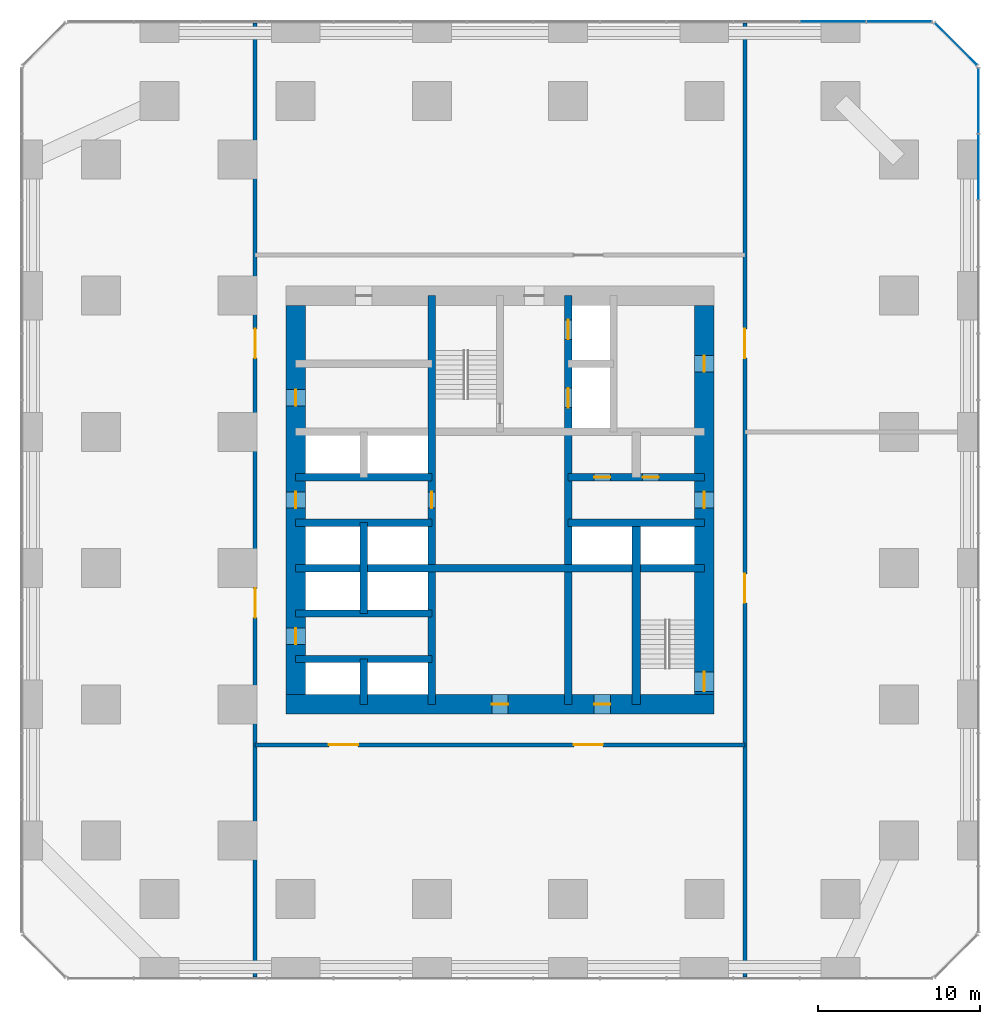
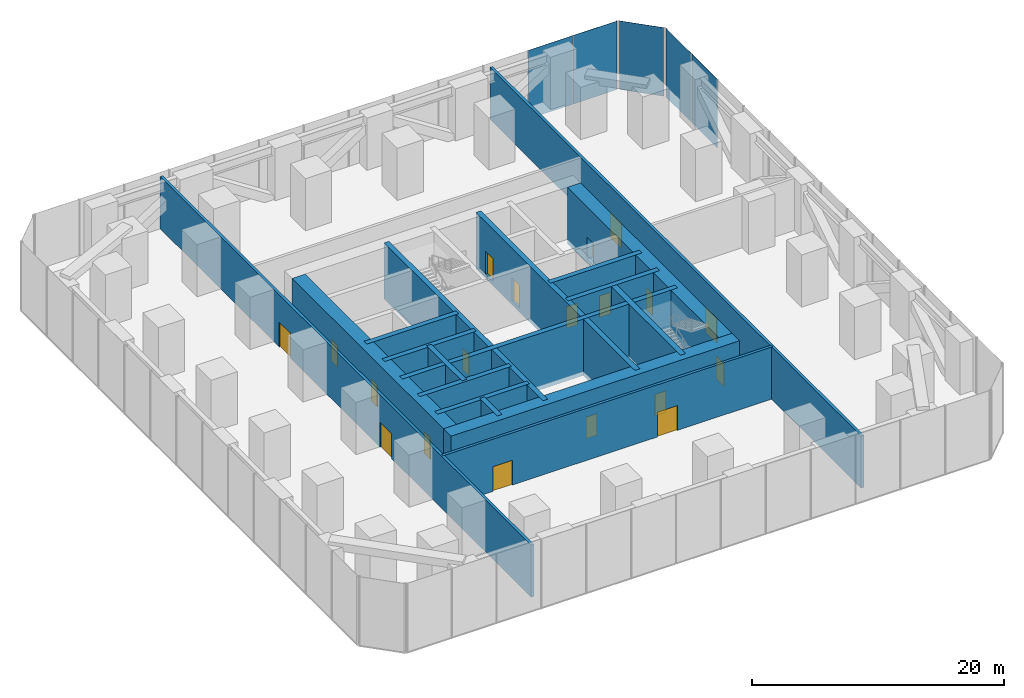
# One storey, part 9 of 11: 19 doors, 18 walls, 5 plates, 19 openings, 3 elements without a shape of their own.
"""IFC4 building model written with IfcOpenShell, lengths in metres."""

from ifc_helpers import new_model, si_unit, direction, frame, frame_2d, origin, origin_2d, place, context, subcontext, project, spatial, rectangle, extrude, material, layer, layer_set, type_object, element, fill, aggregate, save


model = new_model("IFC4")

# Units and contexts
model_context = context("Model", 3, precision=1e-05, world=origin(), true_north=direction((0.0, 1.0)))
body_context = subcontext(model_context, "Body", "Model", "MODEL_VIEW")
ifc_project = project(units=[si_unit("LENGTHUNIT", "METRE"), si_unit("AREAUNIT", "SQUARE_METRE"), si_unit("VOLUMEUNIT", "CUBIC_METRE"), si_unit("PLANEANGLEUNIT", "RADIAN"), si_unit("MASSUNIT", "GRAM", prefix="KILO")], contexts=[model_context])

# Site, building, storey
site_placement = place(None, origin())
site = spatial("IfcSite", under=ifc_project, at=site_placement, CompositionType="ELEMENT")
building_placement = place(site_placement, origin())
building = spatial("IfcBuilding", under=site, at=building_placement, Name="Dunama Terrace Hotel", CompositionType="ELEMENT")
storey_placement = place(building_placement, frame((0.0, 0.0, 88.199951171875)))
storey = spatial("IfcBuildingStorey", under=building, at=storey_placement, Name="L22", CompositionType="ELEMENT", Elevation=88.199951171875)

# Curtain wall, plates
ifc_material_1 = material(Name="Aluminium curtain wall system", Category="aluminium")
curtain_wall_type = type_object("IfcCurtainWallType", Name="Plant floor louvred glazing CW-G", PredefinedType="NOTDEFINED", material=ifc_material_1)
curtain_wall_1_placement = place(storey_placement, origin())
curtain_wall_1 = element("IfcCurtainWall", 1, at=curtain_wall_1_placement, inside=storey, type_object=curtain_wall_type, Name="Plant floor louvred glazing CW-G L22", PredefinedType="NOTDEFINED")
ifc_material_2 = material(Name="Aluminium louvre blades", Category="aluminium")
ifc_layer_1 = layer(ifc_material_2, 0.02392578125)
ifc_layer_set_1 = layer_set([ifc_layer_1], Name="CWG louvre panel")
plate_type = type_object("IfcPlateType", Name="CWG louvre panel", PredefinedType="CURTAIN_PANEL", material=ifc_layer_set_1)
plate_1_placement = place(storey_placement, frame((58.89990234375, 49.93798828125, -1.23583984375), z_axis=(0.0, 0.0, 1.0), x_axis=(0.0, 1.0, 0.0)))
plate_1 = element("IfcPlate", 2, at=plate_1_placement, type_object=plate_type, Name="CWG louvre panel", PredefinedType="CURTAIN_PANEL", context=body_context, shape_type="SweptSolid", body=[
    extrude(rectangle(XDim=4.03271484375, YDim=0.02392578125, at=origin_2d()), origin(), (0.0, 0.0, 1.0), 6.635986328125),
])
plate_2_placement = place(storey_placement, frame((58.89990234375, 54.027099609375, -1.23583984375), z_axis=(0.0, 0.0, 1.0), x_axis=(0.0, 1.0, 0.0)))
plate_2 = element("IfcPlate", 3, at=plate_2_placement, type_object=plate_type, Name="CWG louvre panel", PredefinedType="CURTAIN_PANEL", context=body_context, shape_type="SweptSolid", body=[
    extrude(rectangle(XDim=3.9951171875, YDim=0.02392578125, at=origin_2d()), origin(), (0.0, 0.0, 1.0), 6.635986328125),
])
aggregate(curtain_wall_1, [plate_1, plate_2])

# Curtain wall, plate
curtain_wall_2_placement = place(storey_placement, origin())
curtain_wall_2 = element("IfcCurtainWall", 4, at=curtain_wall_2_placement, inside=storey, type_object=curtain_wall_type, Name="Plant floor louvred glazing CW-G L22", PredefinedType="NOTDEFINED")
plate_3_placement = place(storey_placement, frame((57.52099609375, 57.52099609375, -1.23583984375), z_axis=(0.0, 0.0, 1.0), x_axis=(-0.707106781187, 0.707106781187, 0.0)))
plate_3 = element("IfcPlate", 5, at=plate_3_placement, type_object=plate_type, Name="CWG louvre panel", PredefinedType="CURTAIN_PANEL", context=body_context, shape_type="SweptSolid", body=[
    extrude(rectangle(XDim=3.66845703125, YDim=0.02392578125, at=origin_2d()), origin(), (0.0, 0.0, 1.0), 6.635986328125),
])
aggregate(curtain_wall_2, [plate_3])

# Curtain wall, plates
curtain_wall_3_placement = place(storey_placement, origin())
curtain_wall_3 = element("IfcCurtainWall", 6, at=curtain_wall_3_placement, inside=storey, type_object=curtain_wall_type, Name="Plant floor louvred glazing CW-G L22", PredefinedType="NOTDEFINED")
plate_4_placement = place(storey_placement, frame((54.027099609375, 58.89990234375, -1.23583984375), z_axis=(0.0, 0.0, 1.0), x_axis=(-1.0, 0.0, 0.0)))
plate_4 = element("IfcPlate", 7, at=plate_4_placement, type_object=plate_type, Name="CWG louvre panel", PredefinedType="CURTAIN_PANEL", context=body_context, shape_type="SweptSolid", body=[
    extrude(rectangle(XDim=3.9951171875, YDim=0.02392578125, at=origin_2d()), origin(), (0.0, 0.0, 1.0), 6.635986328125),
])
plate_5_placement = place(storey_placement, frame((49.93798828125, 58.89990234375, -1.23583984375), z_axis=(0.0, 0.0, 1.0), x_axis=(-1.0, 0.0, 0.0)))
plate_5 = element("IfcPlate", 8, at=plate_5_placement, type_object=plate_type, Name="CWG louvre panel", PredefinedType="CURTAIN_PANEL", context=body_context, shape_type="SweptSolid", body=[
    extrude(rectangle(XDim=4.03271484375, YDim=0.02392578125, at=origin_2d()), origin(), (0.0, 0.0, 1.0), 6.635986328125),
])
aggregate(curtain_wall_3, [plate_4, plate_5])

# Walls
ifc_material_3 = material(Name="Concrete C50/60", Category="concrete")
ifc_layer_2 = layer(ifc_material_3, 0.449951171875)
ifc_layer_set_2 = layer_set([ifc_layer_2], Name="Core inner wall 450")
wall_type_1 = type_object("IfcWallType", Name="Core inner wall 450", PredefinedType="SHEAR", material=ifc_layer_set_2)
wall_1_placement = place(storey_placement, frame((21.0, 16.800048828125, -0.39990234375), z_axis=(0.0, 0.0, 1.0), x_axis=(0.0, 1.0, 0.0)))
element("IfcWall", 9, at=wall_1_placement, inside=storey, type_object=wall_type_1, Name="Core inner wall 450 L22", PredefinedType="SHEAR", context=body_context, shape_type="SweptSolid", body=[
    extrude(rectangle(XDim=2.800048828125, YDim=0.449951171875, at=frame_2d((1.39990234375, 0.0))), origin(), (0.0, 0.0, 1.0), 5.449951171875),
])
wall_2_placement = place(storey_placement, frame((21.0, 22.39990234375, -0.39990234375), z_axis=(0.0, 0.0, 1.0), x_axis=(0.0, 1.0, 0.0)))
element("IfcWall", 10, at=wall_2_placement, inside=storey, type_object=wall_type_1, Name="Core inner wall 450 L22", PredefinedType="SHEAR", context=body_context, shape_type="SweptSolid", body=[
    extrude(rectangle(XDim=5.60009765625, YDim=0.449951171875, at=frame_2d((2.800048828125, 0.0))), origin(), (0.0, 0.0, 1.0), 5.449951171875),
])

# Wall, opening, door
wall_3_placement = place(storey_placement, frame((25.199951171875, 16.800048828125, -0.39990234375), z_axis=(0.0, 0.0, 1.0), x_axis=(0.0, 1.0, 0.0)))
wall_3 = element("IfcWall", 11, at=wall_3_placement, inside=storey, type_object=wall_type_1, Name="Core inner wall 450 L22", PredefinedType="SHEAR", context=body_context, shape_type="SweptSolid", body=[
    extrude(rectangle(XDim=25.199951171875, YDim=0.449951171875, at=frame_2d((12.60009765625, 0.0))), origin(), (0.0, 0.0, 1.0), 5.449951171875),
])
opening_1_placement = place(wall_3_placement, frame((12.10009765625, 0.0, 0.39990234375)))
opening_1 = element("IfcOpeningElement", 12, at=opening_1_placement, cuts=wall_3, Name="Opening L22-016", PredefinedType="OPENING", context=body_context, shape_type="SweptSolid", body=[
    extrude(rectangle(XDim=1.0, YDim=2.10009765625, at=frame_2d((0.5, 1.050048828125))), frame((0.0, 0.23486328125, 0.0), z_axis=(0.0, -1.0, 0.0), x_axis=(1.0, 0.0, 0.0)), (0.0, 0.0, 1.0), 0.469970703125),
])
ifc_material_4 = material(Name="Timber door with steel frame", Category="steel")
door_type_1 = type_object("IfcDoorType", Name="Service door 1000", OperationType="SINGLE_SWING_LEFT", PredefinedType="DOOR", material=ifc_material_4)
door_1_placement = place(opening_1_placement, frame((1.0, 0.0, 0.0), z_axis=(0.0, 0.0, 1.0), x_axis=(-1.0, 0.0, 0.0)))
door_1 = element("IfcDoor", 13, at=door_1_placement, inside=storey, type_object=door_type_1, Name="Door to electrical spares store L22-016, type D7", OperationType="SINGLE_SWING_RIGHT", OverallHeight=2.10009765625, OverallWidth=1.0, PredefinedType="DOOR", context=body_context, shape_type="SweptSolid", body=[
    extrude(rectangle(XDim=1.0, YDim=2.10009765625, at=frame_2d((0.5, 1.050048828125))), frame((0.0, 0.025146484375, 0.0), z_axis=(0.0, -1.0, 0.0), x_axis=(1.0, 0.0, 0.0)), (0.0, 0.0, 1.0), 0.050048828125),
])
fill(opening_1, door_1)

# Wall, openings, doors
wall_4_placement = place(storey_placement, frame((33.60009765625, 16.800048828125, -0.39990234375), z_axis=(0.0, 0.0, 1.0), x_axis=(0.0, 1.0, 0.0)))
wall_4 = element("IfcWall", 14, at=wall_4_placement, inside=storey, type_object=wall_type_1, Name="Core inner wall 450 L22", PredefinedType="SHEAR", context=body_context, shape_type="SweptSolid", body=[
    extrude(rectangle(XDim=25.199951171875, YDim=0.449951171875, at=frame_2d((12.60009765625, 0.0))), origin(), (0.0, 0.0, 1.0), 5.449951171875),
])
opening_2_placement = place(wall_4_placement, frame((22.5, 0.0, 0.39990234375)))
opening_2 = element("IfcOpeningElement", 15, at=opening_2_placement, cuts=wall_4, Name="Opening L22-003", PredefinedType="OPENING", context=body_context, shape_type="SweptSolid", body=[
    extrude(rectangle(XDim=1.199951171875, YDim=2.199951171875, at=frame_2d((0.60009765625, 1.10009765625))), frame((0.0, 0.23486328125, 0.0), z_axis=(0.0, -1.0, 0.0), x_axis=(1.0, 0.0, 0.0)), (0.0, 0.0, 1.0), 0.469970703125),
])
opening_3_placement = place(wall_4_placement, frame((18.300048828125, 0.0, 0.39990234375)))
opening_3 = element("IfcOpeningElement", 16, at=opening_3_placement, cuts=wall_4, Name="Opening L22-004", PredefinedType="OPENING", context=body_context, shape_type="SweptSolid", body=[
    extrude(rectangle(XDim=1.199951171875, YDim=2.199951171875, at=frame_2d((0.60009765625, 1.10009765625))), frame((0.0, 0.23486328125, 0.0), z_axis=(0.0, -1.0, 0.0), x_axis=(1.0, 0.0, 0.0)), (0.0, 0.0, 1.0), 0.469970703125),
])
ifc_material_5 = material(Name="Stainless steel lift door", Category="steel")
door_type_2 = type_object("IfcDoorType", Name="Firefighting lift landing door 1200", OperationType="DOUBLE_DOOR_SLIDING", PredefinedType="DOOR", material=ifc_material_5)
door_2_placement = place(opening_2_placement, origin())
door_2 = element("IfcDoor", 17, at=door_2_placement, inside=storey, type_object=door_type_2, Name="Landing door FL1 L22-003, type LD2", OperationType="DOUBLE_DOOR_SLIDING", OverallHeight=2.199951171875, OverallWidth=1.199951171875, PredefinedType="DOOR", context=body_context, shape_type="SweptSolid", body=[
    extrude(rectangle(XDim=1.199951171875, YDim=2.199951171875, at=frame_2d((0.60009765625, 1.10009765625))), frame((0.0, 0.02490234375, 0.0), z_axis=(0.0, -1.0, 0.0), x_axis=(1.0, 0.0, 0.0)), (0.0, 0.0, 1.0), 0.050048828125),
])
fill(opening_2, door_2)
door_3_placement = place(opening_3_placement, origin())
door_3 = element("IfcDoor", 18, at=door_3_placement, inside=storey, type_object=door_type_2, Name="Landing door FL2 L22-004, type LD2", OperationType="DOUBLE_DOOR_SLIDING", OverallHeight=2.199951171875, OverallWidth=1.199951171875, PredefinedType="DOOR", context=body_context, shape_type="SweptSolid", body=[
    extrude(rectangle(XDim=1.199951171875, YDim=2.199951171875, at=frame_2d((0.60009765625, 1.10009765625))), frame((0.0, 0.02490234375, 0.0), z_axis=(0.0, -1.0, 0.0), x_axis=(1.0, 0.0, 0.0)), (0.0, 0.0, 1.0), 0.050048828125),
])
fill(opening_3, door_3)

# Walls
for number, where, z_axis, x_axis, name in (
    (19, (16.800048828125, 19.60009765625, -0.39990234375), (0.0, 0.0, 1.0), (1.0, 0.0, 0.0), "Core inner wall 450 L22"),
    (20, (16.800048828125, 22.39990234375, -0.39990234375), (0.0, 0.0, 1.0), (1.0, 0.0, 0.0), "Core inner wall 450 L22"),
):
    element("IfcWall", number, at=place(storey_placement, frame(where, z_axis=z_axis, x_axis=x_axis)), inside=storey, type_object=wall_type_1, Name=name, PredefinedType="SHEAR", context=body_context, shape_type="SweptSolid", body=[
        extrude(rectangle(XDim=8.39990234375, YDim=0.449951171875, at=frame_2d((4.199951171875, 0.0))), origin(), (0.0, 0.0, 1.0), 5.449951171875),
    ])
wall_5_placement = place(storey_placement, frame((16.800048828125, 25.199951171875, -0.39990234375), z_axis=(0.0, 0.0, 1.0), x_axis=(1.0, 0.0, 0.0)))
element("IfcWall", 21, at=wall_5_placement, inside=storey, type_object=wall_type_1, Name="Core inner wall 450 L22", PredefinedType="SHEAR", context=body_context, shape_type="SweptSolid", body=[
    extrude(rectangle(XDim=25.199951171875, YDim=0.449951171875, at=frame_2d((12.60009765625, 0.0))), origin(), (0.0, 0.0, 1.0), 5.449951171875),
])
for number, where, z_axis, x_axis, name in (
    (22, (16.800048828125, 28.0, -0.39990234375), (0.0, 0.0, 1.0), (1.0, 0.0, 0.0), "Core inner wall 450 L22"),
    (23, (33.60009765625, 28.0, -0.39990234375), (0.0, 0.0, 1.0), (1.0, 0.0, 0.0), "Core inner wall 450 L22"),
    (24, (16.800048828125, 30.800048828125, -0.39990234375), (0.0, 0.0, 1.0), (1.0, 0.0, 0.0), "Core inner wall 450 L22"),
):
    element("IfcWall", number, at=place(storey_placement, frame(where, z_axis=z_axis, x_axis=x_axis)), inside=storey, type_object=wall_type_1, Name=name, PredefinedType="SHEAR", context=body_context, shape_type="SweptSolid", body=[
        extrude(rectangle(XDim=8.39990234375, YDim=0.449951171875, at=frame_2d((4.199951171875, 0.0))), origin(), (0.0, 0.0, 1.0), 5.449951171875),
    ])

# Wall, openings, doors
wall_6_placement = place(storey_placement, frame((33.60009765625, 30.800048828125, -0.39990234375), z_axis=(0.0, 0.0, 1.0), x_axis=(1.0, 0.0, 0.0)))
wall_6 = element("IfcWall", 25, at=wall_6_placement, inside=storey, type_object=wall_type_1, Name="Core inner wall 450 L22", PredefinedType="SHEAR", context=body_context, shape_type="SweptSolid", body=[
    extrude(rectangle(XDim=8.39990234375, YDim=0.449951171875, at=frame_2d((4.199951171875, 0.0))), origin(), (0.0, 0.0, 1.0), 5.449951171875),
])
opening_4_placement = place(wall_6_placement, frame((1.60009765625, 0.0, 0.39990234375)))
opening_4 = element("IfcOpeningElement", 26, at=opening_4_placement, cuts=wall_6, Name="Opening L22-017", PredefinedType="OPENING", context=body_context, shape_type="SweptSolid", body=[
    extrude(rectangle(XDim=1.0, YDim=2.10009765625, at=frame_2d((0.5, 1.050048828125))), frame((0.0, 0.23486328125, 0.0), z_axis=(0.0, -1.0, 0.0), x_axis=(1.0, 0.0, 0.0)), (0.0, 0.0, 1.0), 0.469970703125),
])
opening_5_placement = place(wall_6_placement, frame((4.60009765625, 0.0, 0.39990234375)))
opening_5 = element("IfcOpeningElement", 27, at=opening_5_placement, cuts=wall_6, Name="Opening L22-018", PredefinedType="OPENING", context=body_context, shape_type="SweptSolid", body=[
    extrude(rectangle(XDim=1.0, YDim=2.10009765625, at=frame_2d((0.5, 1.050048828125))), frame((0.0, 0.23486328125, 0.0), z_axis=(0.0, -1.0, 0.0), x_axis=(1.0, 0.0, 0.0)), (0.0, 0.0, 1.0), 0.469970703125),
])
door_4_placement = place(opening_4_placement, origin())
door_4 = element("IfcDoor", 28, at=door_4_placement, inside=storey, type_object=door_type_1, Name="Door to service riser L22-017, type D7", OperationType="SINGLE_SWING_RIGHT", OverallHeight=2.10009765625, OverallWidth=1.0, PredefinedType="DOOR", context=body_context, shape_type="SweptSolid", body=[
    extrude(rectangle(XDim=1.0, YDim=2.10009765625, at=frame_2d((0.5, 1.050048828125))), frame((0.0, 0.02490234375, 0.0), z_axis=(0.0, -1.0, 0.0), x_axis=(1.0, 0.0, 0.0)), (0.0, 0.0, 1.0), 0.050048828125),
])
fill(opening_4, door_4)
door_5_placement = place(opening_5_placement, origin())
door_5 = element("IfcDoor", 29, at=door_5_placement, inside=storey, type_object=door_type_1, Name="Door to it room L22-018, type D7", OperationType="SINGLE_SWING_LEFT", OverallHeight=2.10009765625, OverallWidth=1.0, PredefinedType="DOOR", context=body_context, shape_type="SweptSolid", body=[
    extrude(rectangle(XDim=1.0, YDim=2.10009765625, at=frame_2d((0.5, 1.050048828125))), frame((0.0, 0.02490234375, 0.0), z_axis=(0.0, -1.0, 0.0), x_axis=(1.0, 0.0, 0.0)), (0.0, 0.0, 1.0), 0.050048828125),
])
fill(opening_5, door_5)

# Wall
ifc_material_6 = material(Name="Concrete C50/60", Category="concrete")
ifc_layer_3 = layer(ifc_material_6, 0.5)
ifc_layer_set_3 = layer_set([ifc_layer_3], Name="Core inner wall 500")
wall_type_2 = type_object("IfcWallType", Name="Core inner wall 500", PredefinedType="SHEAR", material=ifc_layer_set_3)
wall_7_placement = place(storey_placement, frame((37.800048828125, 16.800048828125, -0.39990234375), z_axis=(0.0, 0.0, 1.0), x_axis=(0.0, 1.0, 0.0)))
element("IfcWall", 30, at=wall_7_placement, inside=storey, type_object=wall_type_2, Name="Core inner wall 500 L22", PredefinedType="SHEAR", context=body_context, shape_type="SweptSolid", body=[
    extrude(rectangle(XDim=11.199951171875, YDim=0.5, at=frame_2d((5.60009765625, 0.0))), origin(), (0.0, 0.0, 1.0), 5.449951171875),
])

# Wall, openings, doors
ifc_material_7 = material(Name="Concrete C60/75", Category="concrete")
ifc_layer_4 = layer(ifc_material_7, 1.199951171875)
ifc_layer_set_4 = layer_set([ifc_layer_4], Name="Core wall 1200")
wall_type_3 = type_object("IfcWallType", Name="Core wall 1200", PredefinedType="SHEAR", material=ifc_layer_set_4)
wall_8_placement = place(storey_placement, frame((16.199951171875, 16.800048828125, -0.39990234375), z_axis=(0.0, 0.0, 1.0), x_axis=(1.0, 0.0, 0.0)))
wall_8 = element("IfcWall", 31, at=wall_8_placement, inside=storey, type_object=wall_type_3, Name="Core wall south L22", PredefinedType="SHEAR", context=body_context, shape_type="SweptSolid", body=[
    extrude(rectangle(XDim=26.400146484375, YDim=1.199951171875, at=frame_2d((13.2001953125, 0.0))), origin(), (0.0, 0.0, 1.0), 5.449951171875),
])
opening_6_placement = place(wall_8_placement, frame((12.699951171875, 0.0, 0.39990234375)))
opening_6 = element("IfcOpeningElement", 32, at=opening_6_placement, cuts=wall_8, Name="Opening L22-022", PredefinedType="OPENING", context=body_context, shape_type="SweptSolid", body=[
    extrude(rectangle(XDim=1.0, YDim=2.10009765625, at=frame_2d((0.5, 1.050048828125))), frame((0.0, 0.60986328125, 0.0), z_axis=(0.0, -1.0, 0.0), x_axis=(1.0, 0.0, 0.0)), (0.0, 0.0, 1.0), 1.219970703125),
])
opening_7_placement = place(wall_8_placement, frame((19.0, 0.0, 0.39990234375)))
opening_7 = element("IfcOpeningElement", 33, at=opening_7_placement, cuts=wall_8, Name="Opening L22-023", PredefinedType="OPENING", context=body_context, shape_type="SweptSolid", body=[
    extrude(rectangle(XDim=1.0, YDim=2.10009765625, at=frame_2d((0.5, 1.050048828125))), frame((0.0, 0.60986328125, 0.0), z_axis=(0.0, -1.0, 0.0), x_axis=(1.0, 0.0, 0.0)), (0.0, 0.0, 1.0), 1.219970703125),
])
door_6_placement = place(opening_6_placement, origin())
door_6 = element("IfcDoor", 34, at=door_6_placement, inside=storey, type_object=door_type_1, Name="Door to corridor air handling plant room L22-022, type D7", OperationType="SINGLE_SWING_LEFT", OverallHeight=2.10009765625, OverallWidth=1.0, PredefinedType="DOOR", context=body_context, shape_type="SweptSolid", body=[
    extrude(rectangle(XDim=1.0, YDim=2.10009765625, at=frame_2d((0.5, 1.050048828125))), frame((0.0, 0.02490234375, 0.0), z_axis=(0.0, -1.0, 0.0), x_axis=(1.0, 0.0, 0.0)), (0.0, 0.0, 1.0), 0.050048828125),
])
fill(opening_6, door_6)
door_7_placement = place(opening_7_placement, origin())
door_7 = element("IfcDoor", 35, at=door_7_placement, inside=storey, type_object=door_type_1, Name="Door to water booster plant room L22-023, type D7", OperationType="SINGLE_SWING_RIGHT", OverallHeight=2.10009765625, OverallWidth=1.0, PredefinedType="DOOR", context=body_context, shape_type="SweptSolid", body=[
    extrude(rectangle(XDim=1.0, YDim=2.10009765625, at=frame_2d((0.5, 1.050048828125))), frame((0.0, 0.02490234375, 0.0), z_axis=(0.0, -1.0, 0.0), x_axis=(1.0, 0.0, 0.0)), (0.0, 0.0, 1.0), 0.050048828125),
])
fill(opening_7, door_7)

wall_9_placement = place(storey_placement, frame((42.0, 17.39990234375, -0.39990234375), z_axis=(0.0, 0.0, 1.0), x_axis=(0.0, 1.0, 0.0)))
wall_9 = element("IfcWall", 36, at=wall_9_placement, inside=storey, type_object=wall_type_3, Name="Core wall east L22", PredefinedType="SHEAR", context=body_context, shape_type="SweptSolid", body=[
    extrude(rectangle(XDim=24.0, YDim=1.199951171875, at=frame_2d((12.0, 0.0))), origin(), (0.0, 0.0, 1.0), 5.449951171875),
])
opening_8_placement = place(wall_9_placement, frame((0.199951171875, 0.0, 0.39990234375)))
opening_8 = element("IfcOpeningElement", 37, at=opening_8_placement, cuts=wall_9, Name="Opening L22-002", PredefinedType="OPENING", context=body_context, shape_type="SweptSolid", body=[
    extrude(rectangle(XDim=1.199951171875, YDim=2.199951171875, at=frame_2d((0.60009765625, 1.10009765625))), frame((0.0, 0.60986328125, 0.0), z_axis=(0.0, -1.0, 0.0), x_axis=(1.0, 0.0, 0.0)), (0.0, 0.0, 1.0), 1.219970703125),
])
opening_9_placement = place(wall_9_placement, frame((11.5, 0.0, 0.39990234375)))
opening_9 = element("IfcOpeningElement", 38, at=opening_9_placement, cuts=wall_9, Name="Opening L22-019", PredefinedType="OPENING", context=body_context, shape_type="SweptSolid", body=[
    extrude(rectangle(XDim=1.0, YDim=2.10009765625, at=frame_2d((0.5, 1.050048828125))), frame((0.0, 0.60986328125, 0.0), z_axis=(0.0, -1.0, 0.0), x_axis=(1.0, 0.0, 0.0)), (0.0, 0.0, 1.0), 1.219970703125),
])
opening_10_placement = place(wall_9_placement, frame((19.89990234375, 0.0, 0.39990234375)))
opening_10 = element("IfcOpeningElement", 39, at=opening_10_placement, cuts=wall_9, Name="Opening L22-021", PredefinedType="OPENING", context=body_context, shape_type="SweptSolid", body=[
    extrude(rectangle(XDim=1.0, YDim=2.10009765625, at=frame_2d((0.5, 1.050048828125))), frame((0.0, 0.60986328125, 0.0), z_axis=(0.0, -1.0, 0.0), x_axis=(1.0, 0.0, 0.0)), (0.0, 0.0, 1.0), 1.219970703125),
])
door_8_placement = place(opening_9_placement, origin())
door_8 = element("IfcDoor", 40, at=door_8_placement, inside=storey, type_object=door_type_1, Name="Door to service lobby L22-019, type D7", OperationType="SINGLE_SWING_LEFT", OverallHeight=2.10009765625, OverallWidth=1.0, PredefinedType="DOOR", context=body_context, shape_type="SweptSolid", body=[
    extrude(rectangle(XDim=1.0, YDim=2.10009765625, at=frame_2d((0.5, 1.050048828125))), frame((0.0, 0.02490234375, 0.0), z_axis=(0.0, -1.0, 0.0), x_axis=(1.0, 0.0, 0.0)), (0.0, 0.0, 1.0), 0.050048828125),
])
fill(opening_9, door_8)
door_9_placement = place(opening_10_placement, origin())
door_9 = element("IfcDoor", 41, at=door_9_placement, inside=storey, type_object=door_type_1, Name="Door to plant spares store L22-021, type D7", OperationType="SINGLE_SWING_LEFT", OverallHeight=2.10009765625, OverallWidth=1.0, PredefinedType="DOOR", context=body_context, shape_type="SweptSolid", body=[
    extrude(rectangle(XDim=1.0, YDim=2.10009765625, at=frame_2d((0.5, 1.050048828125))), frame((0.0, 0.02490234375, 0.0), z_axis=(0.0, -1.0, 0.0), x_axis=(1.0, 0.0, 0.0)), (0.0, 0.0, 1.0), 0.050048828125),
])
fill(opening_10, door_9)
ifc_material_8 = material(Name="Timber door with steel frame", Category="steel")
door_type_3 = type_object("IfcDoorType", Name="Stair door 1200", OperationType="SINGLE_SWING_LEFT", PredefinedType="DOOR", material=ifc_material_8)
door_10_placement = place(opening_8_placement, origin())
door_10 = element("IfcDoor", 42, at=door_10_placement, inside=storey, type_object=door_type_3, Name="Stair door ST2 L22-002, type D5", OperationType="SINGLE_SWING_LEFT", OverallHeight=2.199951171875, OverallWidth=1.199951171875, PredefinedType="DOOR", context=body_context, shape_type="SweptSolid", body=[
    extrude(rectangle(XDim=1.199951171875, YDim=2.199951171875, at=frame_2d((0.60009765625, 1.10009765625))), frame((0.0, 0.02490234375, 0.0), z_axis=(0.0, -1.0, 0.0), x_axis=(1.0, 0.0, 0.0)), (0.0, 0.0, 1.0), 0.050048828125),
])
fill(opening_8, door_10)

wall_10_placement = place(storey_placement, frame((16.800048828125, 41.39990234375, -0.39990234375), z_axis=(0.0, 0.0, 1.0), x_axis=(0.0, -1.0, 0.0)))
wall_10 = element("IfcWall", 43, at=wall_10_placement, inside=storey, type_object=wall_type_3, Name="Core wall west L22", PredefinedType="SHEAR", context=body_context, shape_type="SweptSolid", body=[
    extrude(rectangle(XDim=24.0, YDim=1.199951171875, at=frame_2d((12.0, 0.0))), origin(), (0.0, 0.0, 1.0), 5.449951171875),
])
opening_11_placement = place(wall_10_placement, frame((11.5, 0.0, 0.39990234375)))
opening_11 = element("IfcOpeningElement", 44, at=opening_11_placement, cuts=wall_10, Name="Opening L22-012", PredefinedType="OPENING", context=body_context, shape_type="SweptSolid", body=[
    extrude(rectangle(XDim=1.0, YDim=2.10009765625, at=frame_2d((0.5, 1.050048828125))), frame((0.0, 0.60986328125, 0.0), z_axis=(0.0, -1.0, 0.0), x_axis=(1.0, 0.0, 0.0)), (0.0, 0.0, 1.0), 1.219970703125),
])
opening_12_placement = place(wall_10_placement, frame((19.89990234375, 0.0, 0.39990234375)))
opening_12 = element("IfcOpeningElement", 45, at=opening_12_placement, cuts=wall_10, Name="Opening L22-013", PredefinedType="OPENING", context=body_context, shape_type="SweptSolid", body=[
    extrude(rectangle(XDim=1.0, YDim=2.10009765625, at=frame_2d((0.5, 1.050048828125))), frame((0.0, 0.60986328125, 0.0), z_axis=(0.0, -1.0, 0.0), x_axis=(1.0, 0.0, 0.0)), (0.0, 0.0, 1.0), 1.219970703125),
])
opening_13_placement = place(wall_10_placement, frame((5.199951171875, 0.0, 0.39990234375)))
opening_13 = element("IfcOpeningElement", 46, at=opening_13_placement, cuts=wall_10, Name="Opening L22-014", PredefinedType="OPENING", context=body_context, shape_type="SweptSolid", body=[
    extrude(rectangle(XDim=1.0, YDim=2.10009765625, at=frame_2d((0.5, 1.050048828125))), frame((0.0, 0.60986328125, 0.0), z_axis=(0.0, -1.0, 0.0), x_axis=(1.0, 0.0, 0.0)), (0.0, 0.0, 1.0), 1.219970703125),
])
door_11_placement = place(opening_11_placement, origin())
door_11 = element("IfcDoor", 47, at=door_11_placement, inside=storey, type_object=door_type_1, Name="Door to service lobby L22-012, type D7", OperationType="SINGLE_SWING_RIGHT", OverallHeight=2.10009765625, OverallWidth=1.0, PredefinedType="DOOR", context=body_context, shape_type="SweptSolid", body=[
    extrude(rectangle(XDim=1.0, YDim=2.10009765625, at=frame_2d((0.5, 1.050048828125))), frame((0.0, 0.02490234375, 0.0), z_axis=(0.0, -1.0, 0.0), x_axis=(1.0, 0.0, 0.0)), (0.0, 0.0, 1.0), 0.050048828125),
])
fill(opening_11, door_11)
door_12_placement = place(opening_12_placement, origin())
door_12 = element("IfcDoor", 48, at=door_12_placement, inside=storey, type_object=door_type_1, Name="Door to service lobby L22-013, type D7", OperationType="SINGLE_SWING_LEFT", OverallHeight=2.10009765625, OverallWidth=1.0, PredefinedType="DOOR", context=body_context, shape_type="SweptSolid", body=[
    extrude(rectangle(XDim=1.0, YDim=2.10009765625, at=frame_2d((0.5, 1.050048828125))), frame((0.0, 0.02490234375, 0.0), z_axis=(0.0, -1.0, 0.0), x_axis=(1.0, 0.0, 0.0)), (0.0, 0.0, 1.0), 0.050048828125),
])
fill(opening_12, door_12)
door_13_placement = place(opening_13_placement, origin())
door_13 = element("IfcDoor", 49, at=door_13_placement, inside=storey, type_object=door_type_1, Name="Door to electrical plant room L22-014, type D7", OperationType="SINGLE_SWING_RIGHT", OverallHeight=2.10009765625, OverallWidth=1.0, PredefinedType="DOOR", context=body_context, shape_type="SweptSolid", body=[
    extrude(rectangle(XDim=1.0, YDim=2.10009765625, at=frame_2d((0.5, 1.050048828125))), frame((0.0, 0.02490234375, 0.0), z_axis=(0.0, -1.0, 0.0), x_axis=(1.0, 0.0, 0.0)), (0.0, 0.0, 1.0), 0.050048828125),
])
fill(opening_13, door_13)

ifc_material_9 = material(Name="Concrete blockwork", Category="masonry")
ifc_layer_5 = layer(ifc_material_9, 0.25)
ifc_layer_set_5 = layer_set([ifc_layer_5], Name="Plant room wall 250")
wall_type_4 = type_object("IfcWallType", Name="Plant room wall 250", PredefinedType="PARTITIONING", material=ifc_layer_set_5)
wall_11_placement = place(storey_placement, frame((14.300048828125, -0.01806640625, 0.0), z_axis=(0.0, 0.0, 1.0), x_axis=(0.0, 1.0, 0.0)))
wall_11 = element("IfcWall", 50, at=wall_11_placement, inside=storey, type_object=wall_type_4, Name="Plant room wall 250 L22", PredefinedType="PARTITIONING", context=body_context, shape_type="SweptSolid", body=[
    extrude(rectangle(XDim=58.836181640625, YDim=0.25, at=frame_2d((29.41796875, 0.0))), origin(), (0.0, 0.0, 1.0), 5.050048828125),
])
opening_14_placement = place(wall_11_placement, frame((22.16796875, 0.0, 0.0)))
opening_14 = element("IfcOpeningElement", 51, at=opening_14_placement, cuts=wall_11, Name="Opening L22-005", PredefinedType="OPENING", context=body_context, shape_type="SweptSolid", body=[
    extrude(rectangle(XDim=1.800048828125, YDim=2.39990234375, at=frame_2d((0.89990234375, 1.199951171875))), frame((0.0, 0.135009765625, 0.0), z_axis=(0.0, -1.0, 0.0), x_axis=(1.0, 0.0, 0.0)), (0.0, 0.0, 1.0), 0.27001953125),
])
opening_15_placement = place(wall_11_placement, frame((38.16796875, 0.0, 0.0)))
opening_15 = element("IfcOpeningElement", 52, at=opening_15_placement, cuts=wall_11, Name="Opening L22-006", PredefinedType="OPENING", context=body_context, shape_type="SweptSolid", body=[
    extrude(rectangle(XDim=1.800048828125, YDim=2.39990234375, at=frame_2d((0.89990234375, 1.199951171875))), frame((0.0, 0.135009765625, 0.0), z_axis=(0.0, -1.0, 0.0), x_axis=(1.0, 0.0, 0.0)), (0.0, 0.0, 1.0), 0.27001953125),
])
ifc_material_10 = material(Name="Timber door with steel frame", Category="steel")
door_type_4 = type_object("IfcDoorType", Name="Plant room double door 1800", OperationType="DOUBLE_DOOR_DOUBLE_SWING", PredefinedType="DOOR", material=ifc_material_10)
door_14_placement = place(opening_14_placement, origin())
door_14 = element("IfcDoor", 53, at=door_14_placement, inside=storey, type_object=door_type_4, Name="Door to refuge area west L22-005, type D9", OperationType="DOUBLE_DOOR_DOUBLE_SWING", OverallHeight=2.39990234375, OverallWidth=1.800048828125, PredefinedType="DOOR", context=body_context, shape_type="SweptSolid", body=[
    extrude(rectangle(XDim=1.800048828125, YDim=2.39990234375, at=frame_2d((0.89990234375, 1.199951171875))), frame((0.0, 0.02490234375, 0.0), z_axis=(0.0, -1.0, 0.0), x_axis=(1.0, 0.0, 0.0)), (0.0, 0.0, 1.0), 0.050048828125),
])
fill(opening_14, door_14)
door_15_placement = place(opening_15_placement, origin())
door_15 = element("IfcDoor", 54, at=door_15_placement, inside=storey, type_object=door_type_4, Name="Door to refuge area west L22-006, type D9", OperationType="DOUBLE_DOOR_DOUBLE_SWING", OverallHeight=2.39990234375, OverallWidth=1.800048828125, PredefinedType="DOOR", context=body_context, shape_type="SweptSolid", body=[
    extrude(rectangle(XDim=1.800048828125, YDim=2.39990234375, at=frame_2d((0.89990234375, 1.199951171875))), frame((0.0, 0.02490234375, 0.0), z_axis=(0.0, -1.0, 0.0), x_axis=(1.0, 0.0, 0.0)), (0.0, 0.0, 1.0), 0.050048828125),
])
fill(opening_15, door_15)

wall_12_placement = place(storey_placement, frame((44.5, -0.01806640625, 0.0), z_axis=(0.0, 0.0, 1.0), x_axis=(0.0, 1.0, 0.0)))
wall_12 = element("IfcWall", 55, at=wall_12_placement, inside=storey, type_object=wall_type_4, Name="Plant room wall 250 L22", PredefinedType="PARTITIONING", context=body_context, shape_type="SweptSolid", body=[
    extrude(rectangle(XDim=58.836181640625, YDim=0.25, at=frame_2d((29.41796875, 0.0))), origin(), (0.0, 0.0, 1.0), 5.050048828125),
])
opening_16_placement = place(wall_12_placement, frame((23.068115234375, 0.0, 0.0)))
opening_16 = element("IfcOpeningElement", 56, at=opening_16_placement, cuts=wall_12, Name="Opening L22-009", PredefinedType="OPENING", context=body_context, shape_type="SweptSolid", body=[
    extrude(rectangle(XDim=1.800048828125, YDim=2.39990234375, at=frame_2d((0.89990234375, 1.199951171875))), frame((0.0, 0.135009765625, 0.0), z_axis=(0.0, -1.0, 0.0), x_axis=(1.0, 0.0, 0.0)), (0.0, 0.0, 1.0), 0.27001953125),
])
opening_17_placement = place(wall_12_placement, frame((38.16796875, 0.0, 0.0)))
opening_17 = element("IfcOpeningElement", 57, at=opening_17_placement, cuts=wall_12, Name="Opening L22-010", PredefinedType="OPENING", context=body_context, shape_type="SweptSolid", body=[
    extrude(rectangle(XDim=1.800048828125, YDim=2.39990234375, at=frame_2d((0.89990234375, 1.199951171875))), frame((0.0, 0.135009765625, 0.0), z_axis=(0.0, -1.0, 0.0), x_axis=(1.0, 0.0, 0.0)), (0.0, 0.0, 1.0), 0.27001953125),
])
door_16_placement = place(opening_16_placement, origin())
door_16 = element("IfcDoor", 58, at=door_16_placement, inside=storey, type_object=door_type_4, Name="Door to chiller plant room L22-009, type D9", OperationType="DOUBLE_DOOR_DOUBLE_SWING", OverallHeight=2.39990234375, OverallWidth=1.800048828125, PredefinedType="DOOR", context=body_context, shape_type="SweptSolid", body=[
    extrude(rectangle(XDim=1.800048828125, YDim=2.39990234375, at=frame_2d((0.89990234375, 1.199951171875))), frame((0.0, 0.02490234375, 0.0), z_axis=(0.0, -1.0, 0.0), x_axis=(1.0, 0.0, 0.0)), (0.0, 0.0, 1.0), 0.050048828125),
])
fill(opening_16, door_16)
door_17_placement = place(opening_17_placement, origin())
door_17 = element("IfcDoor", 59, at=door_17_placement, inside=storey, type_object=door_type_4, Name="Door to chilled water pump room L22-010, type D9", OperationType="DOUBLE_DOOR_DOUBLE_SWING", OverallHeight=2.39990234375, OverallWidth=1.800048828125, PredefinedType="DOOR", context=body_context, shape_type="SweptSolid", body=[
    extrude(rectangle(XDim=1.800048828125, YDim=2.39990234375, at=frame_2d((0.89990234375, 1.199951171875))), frame((0.0, 0.02490234375, 0.0), z_axis=(0.0, -1.0, 0.0), x_axis=(1.0, 0.0, 0.0)), (0.0, 0.0, 1.0), 0.050048828125),
])
fill(opening_17, door_17)

wall_13_placement = place(storey_placement, frame((14.300048828125, 14.300048828125, 0.0), z_axis=(0.0, 0.0, 1.0), x_axis=(1.0, 0.0, 0.0)))
wall_13 = element("IfcWall", 60, at=wall_13_placement, inside=storey, type_object=wall_type_4, Name="Plant room wall 250 L22", PredefinedType="PARTITIONING", context=body_context, shape_type="SweptSolid", body=[
    extrude(rectangle(XDim=30.199951171875, YDim=0.25, at=frame_2d((15.10009765625, 0.0))), origin(), (0.0, 0.0, 1.0), 5.050048828125),
])
opening_18_placement = place(wall_13_placement, frame((19.64990234375, 0.0, 0.0)))
opening_18 = element("IfcOpeningElement", 61, at=opening_18_placement, cuts=wall_13, Name="Opening L22-007", PredefinedType="OPENING", context=body_context, shape_type="SweptSolid", body=[
    extrude(rectangle(XDim=1.800048828125, YDim=2.39990234375, at=frame_2d((0.89990234375, 1.199951171875))), frame((0.0, 0.135009765625, 0.0), z_axis=(0.0, -1.0, 0.0), x_axis=(1.0, 0.0, 0.0)), (0.0, 0.0, 1.0), 0.27001953125),
])
opening_19_placement = place(wall_13_placement, frame((4.550048828125, 0.0, 0.0)))
opening_19 = element("IfcOpeningElement", 62, at=opening_19_placement, cuts=wall_13, Name="Opening L22-008", PredefinedType="OPENING", context=body_context, shape_type="SweptSolid", body=[
    extrude(rectangle(XDim=1.800048828125, YDim=2.39990234375, at=frame_2d((0.89990234375, 1.199951171875))), frame((0.0, 0.135009765625, 0.0), z_axis=(0.0, -1.0, 0.0), x_axis=(1.0, 0.0, 0.0)), (0.0, 0.0, 1.0), 0.27001953125),
])
door_18_placement = place(opening_18_placement, origin())
door_18 = element("IfcDoor", 63, at=door_18_placement, inside=storey, type_object=door_type_4, Name="Door to refuge area south L22-007, type D9", OperationType="DOUBLE_DOOR_DOUBLE_SWING", OverallHeight=2.39990234375, OverallWidth=1.800048828125, PredefinedType="DOOR", context=body_context, shape_type="SweptSolid", body=[
    extrude(rectangle(XDim=1.800048828125, YDim=2.39990234375, at=frame_2d((0.89990234375, 1.199951171875))), frame((0.0, 0.02490234375, 0.0), z_axis=(0.0, -1.0, 0.0), x_axis=(1.0, 0.0, 0.0)), (0.0, 0.0, 1.0), 0.050048828125),
])
fill(opening_18, door_18)
door_19_placement = place(opening_19_placement, origin())
door_19 = element("IfcDoor", 64, at=door_19_placement, inside=storey, type_object=door_type_4, Name="Door to refuge area south L22-008, type D9", OperationType="DOUBLE_DOOR_DOUBLE_SWING", OverallHeight=2.39990234375, OverallWidth=1.800048828125, PredefinedType="DOOR", context=body_context, shape_type="SweptSolid", body=[
    extrude(rectangle(XDim=1.800048828125, YDim=2.39990234375, at=frame_2d((0.89990234375, 1.199951171875))), frame((0.0, 0.02490234375, 0.0), z_axis=(0.0, -1.0, 0.0), x_axis=(1.0, 0.0, 0.0)), (0.0, 0.0, 1.0), 0.050048828125),
])
fill(opening_19, door_19)

save(model, "model.ifc")
